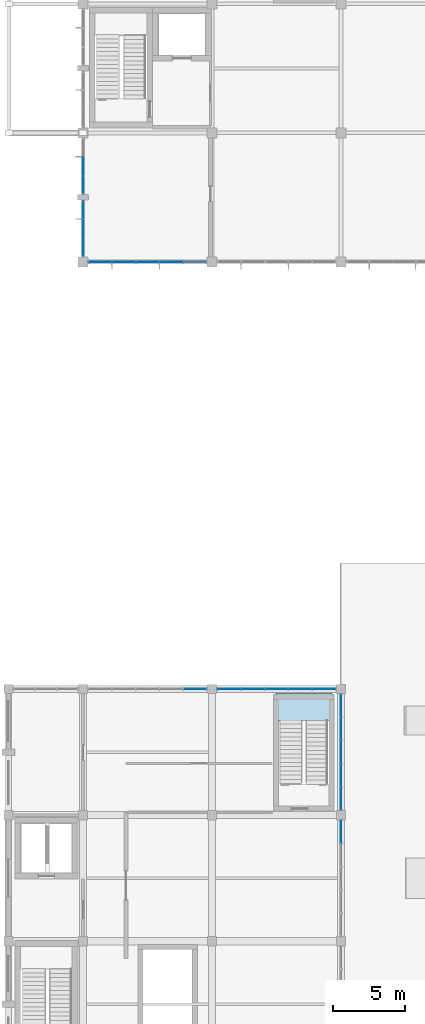
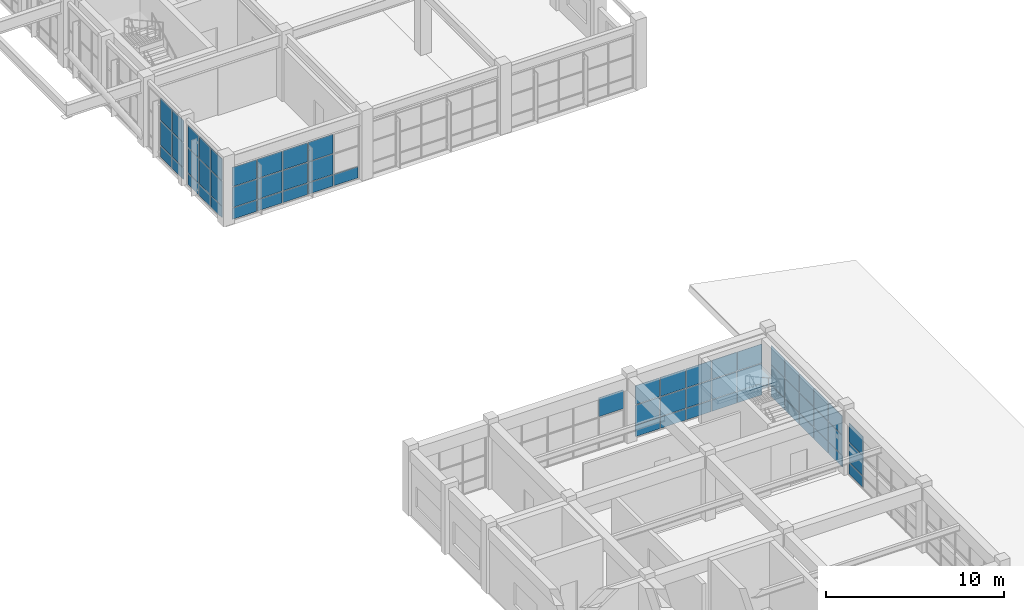
# One storey, part 70 of 99: 62 plates, 1 slab, 8 elements without a shape of their own.
"""IFC4 building model written with IfcOpenShell, lengths in metres."""

from ifc_helpers import new_model, si_unit, direction, frame, origin, origin_2d, place, context, subcontext, project, spatial, polyline, rectangle, outline, extrude, material, layer, layer_set, type_object, element, aggregate, save


model = new_model("IFC4")

# Units and contexts
model_context = context("Model", 3, precision=1e-05, world=origin(), true_north=direction((0.0, 1.0)))
body_context = subcontext(model_context, "Body", "Model", "MODEL_VIEW")
ifc_project = project(units=[si_unit("LENGTHUNIT", "METRE"), si_unit("AREAUNIT", "SQUARE_METRE"), si_unit("VOLUMEUNIT", "CUBIC_METRE"), si_unit("PLANEANGLEUNIT", "RADIAN"), si_unit("MASSUNIT", "GRAM", prefix="KILO")], contexts=[model_context])

# Site, building, storey
site_placement = place(None, origin())
site = spatial("IfcSite", under=ifc_project, at=site_placement, CompositionType="ELEMENT")
building_placement = place(site_placement, origin())
building = spatial("IfcBuilding", under=site, at=building_placement, Name="Ventoquebrada Cableway Terminal", CompositionType="ELEMENT")
storey_placement = place(building_placement, frame((0.0, 0.0, 9.60009765625)))
storey = spatial("IfcBuildingStorey", under=building, at=storey_placement, Name="L02", CompositionType="ELEMENT", Elevation=9.60009765625)

# Curtain wall, plate
ifc_material_1 = material(Name="Anodized thermally-broken aluminium", Category="aluminium")
ifc_layer_1 = layer(ifc_material_1, 0.159912109375)
ifc_layer_set_1 = layer_set([ifc_layer_1], Name="Anodized thermally-broken aluminium")
curtain_wall_type_1 = type_object("IfcCurtainWallType", Name="CW-T07", PredefinedType="USERDEFINED", material=ifc_layer_set_1)
curtain_wall_1_placement = place(storey_placement, origin())
curtain_wall_1 = element("IfcCurtainWall", 1, at=curtain_wall_1_placement, inside=storey, type_object=curtain_wall_type_1, Name="Unitised glazed curtain wall CW-015", ObjectType="UNITISED CURTAIN WALL", PredefinedType="USERDEFINED")
ifc_material_2 = material(Name="Double low-e laminated safety glazing", Category="glass")
ifc_layer_2 = layer(ifc_material_2, 0.031982421875)
ifc_layer_set_2 = layer_set([ifc_layer_2], Name="Double low-e laminated safety glazing")
plate_type_1 = type_object("IfcPlateType", Name="CWP-GL1", PredefinedType="CURTAIN_PANEL", material=ifc_layer_set_2)
plate_1_placement = place(storey_placement, frame((26.199951171875, 28.239013671875, 2.261962890625), z_axis=(0.0, 0.0, 1.0), x_axis=(0.0, 1.0, 0.0)))
plate_1 = element("IfcPlate", 2, at=plate_1_placement, type_object=plate_type_1, Name="Vision glazing panel PN-0147", PredefinedType="CURTAIN_PANEL", context=body_context, shape_type="SweptSolid", body=[
    extrude(rectangle(XDim=1.5439453125, YDim=0.031982421875, at=origin_2d()), origin(), (0.0, 0.0, 1.0), 1.2880859375),
])

# Curtain wall, plates
curtain_wall_2_placement = place(storey_placement, origin())
curtain_wall_2 = element("IfcCurtainWall", 3, at=curtain_wall_2_placement, inside=storey, type_object=curtain_wall_type_1, Name="Unitised glazed curtain wall CW-016", ObjectType="UNITISED CURTAIN WALL", PredefinedType="USERDEFINED")
plate_2_placement = place(storey_placement, frame((26.199951171875, 30.56201171875, 2.261962890625), z_axis=(0.0, 0.0, 1.0), x_axis=(0.0, 1.0, 0.0)))
plate_2 = element("IfcPlate", 4, at=plate_2_placement, type_object=plate_type_1, Name="Vision glazing panel PN-0150", PredefinedType="CURTAIN_PANEL", context=body_context, shape_type="SweptSolid", body=[
    extrude(rectangle(XDim=1.5439453125, YDim=0.031982421875, at=origin_2d()), origin(), (0.0, 0.0, 1.0), 1.2880859375),
])
plate_3_placement = place(storey_placement, frame((26.199951171875, 32.172119140625, 0.87451171875), z_axis=(0.0, 0.0, 1.0), x_axis=(0.0, 1.0, 0.0)))
plate_3 = element("IfcPlate", 5, at=plate_3_placement, type_object=plate_type_1, Name="Vision glazing panel PN-0152", PredefinedType="CURTAIN_PANEL", context=body_context, shape_type="SweptSolid", body=[
    extrude(rectangle(XDim=1.5791015625, YDim=0.031982421875, at=origin_2d()), origin(), (0.0, 0.0, 1.0), 1.339111328125),
])
plate_4_placement = place(storey_placement, frame((26.199951171875, 33.800048828125, 2.261962890625), z_axis=(0.0, 0.0, 1.0), x_axis=(0.0, 1.0, 0.0)))
plate_4 = element("IfcPlate", 6, at=plate_4_placement, type_object=plate_type_1, Name="Vision glazing panel PN-0156", PredefinedType="CURTAIN_PANEL", context=body_context, shape_type="SweptSolid", body=[
    extrude(rectangle(XDim=1.5791015625, YDim=0.031982421875, at=origin_2d()), origin(), (0.0, 0.0, 1.0), 1.2880859375),
])
plate_5_placement = place(storey_placement, frame((26.199951171875, 35.427978515625, 0.87451171875), z_axis=(0.0, 0.0, 1.0), x_axis=(0.0, 1.0, 0.0)))
plate_5 = element("IfcPlate", 7, at=plate_5_placement, type_object=plate_type_1, Name="Vision glazing panel PN-0158", PredefinedType="CURTAIN_PANEL", context=body_context, shape_type="SweptSolid", body=[
    extrude(rectangle(XDim=1.5791015625, YDim=0.031982421875, at=origin_2d()), origin(), (0.0, 0.0, 1.0), 1.339111328125),
])
plate_6_placement = place(storey_placement, frame((26.199951171875, 37.0380859375, 2.261962890625), z_axis=(0.0, 0.0, 1.0), x_axis=(0.0, 1.0, 0.0)))
plate_6 = element("IfcPlate", 8, at=plate_6_placement, type_object=plate_type_1, Name="Vision glazing panel PN-0162", PredefinedType="CURTAIN_PANEL", context=body_context, shape_type="SweptSolid", body=[
    extrude(rectangle(XDim=1.5439453125, YDim=0.031982421875, at=origin_2d()), origin(), (0.0, 0.0, 1.0), 1.2880859375),
])

# Curtain wall, plate
ifc_layer_3 = layer(ifc_material_1, 0.159912109375)
ifc_layer_set_3 = layer_set([ifc_layer_3], Name="Anodized thermally-broken aluminium")
curtain_wall_type_2 = type_object("IfcCurtainWallType", Name="CW-T09", PredefinedType="USERDEFINED", material=ifc_layer_set_3)
curtain_wall_3_placement = place(storey_placement, origin())
curtain_wall_3 = element("IfcCurtainWall", 9, at=curtain_wall_3_placement, inside=storey, type_object=curtain_wall_type_2, Name="Unitised glazed curtain wall CW-018", ObjectType="UNITISED CURTAIN WALL", PredefinedType="USERDEFINED")
plate_7_placement = place(storey_placement, frame((16.01904296875, 38.199951171875, 2.261962890625), z_axis=(0.0, 0.0, 1.0), x_axis=(-1.0, 0.0, 0.0)))
plate_7 = element("IfcPlate", 10, at=plate_7_placement, type_object=plate_type_1, Name="Vision glazing panel PN-0174", PredefinedType="CURTAIN_PANEL", context=body_context, shape_type="SweptSolid", body=[
    extrude(rectangle(XDim=1.583984375, YDim=0.031982421875, at=origin_2d()), origin(), (0.0, 0.0, 1.0), 1.2880859375),
])
aggregate(curtain_wall_3, [plate_7])

# Curtain wall, plates
curtain_wall_4_placement = place(storey_placement, origin())
curtain_wall_4 = element("IfcCurtainWall", 11, at=curtain_wall_4_placement, inside=storey, type_object=curtain_wall_type_2, Name="Unitised glazed curtain wall CW-019", ObjectType="UNITISED CURTAIN WALL", PredefinedType="USERDEFINED")
plate_8_placement = place(storey_placement, frame((25.01904296875, 38.199951171875, 2.261962890625), z_axis=(0.0, 0.0, 1.0), x_axis=(-1.0, 0.0, 0.0)))
plate_8 = element("IfcPlate", 12, at=plate_8_placement, type_object=plate_type_1, Name="Vision glazing panel PN-0189", PredefinedType="CURTAIN_PANEL", context=body_context, shape_type="SweptSolid", body=[
    extrude(rectangle(XDim=1.583984375, YDim=0.031982421875, at=origin_2d()), origin(), (0.0, 0.0, 1.0), 1.2880859375),
])
plate_9_placement = place(storey_placement, frame((23.368896484375, 38.199951171875, 0.87451171875), z_axis=(0.0, 0.0, 1.0), x_axis=(-1.0, 0.0, 0.0)))
plate_9 = element("IfcPlate", 13, at=plate_9_placement, type_object=plate_type_1, Name="Vision glazing panel PN-0191", PredefinedType="CURTAIN_PANEL", context=body_context, shape_type="SweptSolid", body=[
    extrude(rectangle(XDim=1.618896484375, YDim=0.031982421875, at=origin_2d()), origin(), (0.0, 0.0, 1.0), 1.339111328125),
])
plate_10_placement = place(storey_placement, frame((21.699951171875, 38.199951171875, 2.261962890625), z_axis=(0.0, 0.0, 1.0), x_axis=(-1.0, 0.0, 0.0)))
plate_10 = element("IfcPlate", 14, at=plate_10_placement, type_object=plate_type_1, Name="Vision glazing panel PN-0195", PredefinedType="CURTAIN_PANEL", context=body_context, shape_type="SweptSolid", body=[
    extrude(rectangle(XDim=1.618896484375, YDim=0.031982421875, at=origin_2d()), origin(), (0.0, 0.0, 1.0), 1.2880859375),
])
plate_11_placement = place(storey_placement, frame((20.031982421875, 38.199951171875, 0.87451171875), z_axis=(0.0, 0.0, 1.0), x_axis=(-1.0, 0.0, 0.0)))
plate_11 = element("IfcPlate", 15, at=plate_11_placement, type_object=plate_type_1, Name="Vision glazing panel PN-0197", PredefinedType="CURTAIN_PANEL", context=body_context, shape_type="SweptSolid", body=[
    extrude(rectangle(XDim=1.618896484375, YDim=0.031982421875, at=origin_2d()), origin(), (0.0, 0.0, 1.0), 1.339111328125),
])
plate_12_placement = place(storey_placement, frame((18.382080078125, 38.199951171875, 2.261962890625), z_axis=(0.0, 0.0, 1.0), x_axis=(-1.0, 0.0, 0.0)))
plate_12 = element("IfcPlate", 16, at=plate_12_placement, type_object=plate_type_1, Name="Vision glazing panel PN-0201", PredefinedType="CURTAIN_PANEL", context=body_context, shape_type="SweptSolid", body=[
    extrude(rectangle(XDim=1.583984375, YDim=0.031982421875, at=origin_2d()), origin(), (0.0, 0.0, 1.0), 1.2880859375),
])

ifc_layer_4 = layer(ifc_material_1, 0.159912109375)
ifc_layer_set_4 = layer_set([ifc_layer_4], Name="Anodized thermally-broken aluminium")
curtain_wall_type_3 = type_object("IfcCurtainWallType", Name="CW-T18", PredefinedType="USERDEFINED", material=ifc_layer_set_4)
curtain_wall_5_placement = place(storey_placement, origin())
curtain_wall_5 = element("IfcCurtainWall", 17, at=curtain_wall_5_placement, inside=storey, type_object=curtain_wall_type_3, Name="Unitised glazed curtain wall CW-040", ObjectType="UNITISED CURTAIN WALL", PredefinedType="USERDEFINED")
plate_13_placement = place(storey_placement, frame((9.40087890625, 68.0, 2.304931640625), z_axis=(0.0, 0.0, 1.0), x_axis=(1.0, 0.0, 0.0)))
plate_13 = element("IfcPlate", 18, at=plate_13_placement, type_object=plate_type_1, Name="Vision glazing panel PN-0395", PredefinedType="CURTAIN_PANEL", context=body_context, shape_type="SweptSolid", body=[
    extrude(rectangle(XDim=1.573974609375, YDim=0.031982421875, at=origin_2d()), origin(), (0.0, 0.0, 1.0), 1.31396484375),
])
plate_14_placement = place(storey_placement, frame((11.041015625, 68.0, 0.8740234375), z_axis=(0.0, 0.0, 1.0), x_axis=(1.0, 0.0, 0.0)))
plate_14 = element("IfcPlate", 19, at=plate_14_placement, type_object=plate_type_1, Name="Vision glazing panel PN-0397", PredefinedType="CURTAIN_PANEL", context=body_context, shape_type="SweptSolid", body=[
    extrude(rectangle(XDim=1.60888671875, YDim=0.031982421875, at=origin_2d()), origin(), (0.0, 0.0, 1.0), 1.382080078125),
])
plate_15_placement = place(storey_placement, frame((12.699951171875, 68.0, 2.304931640625), z_axis=(0.0, 0.0, 1.0), x_axis=(1.0, 0.0, 0.0)))
plate_15 = element("IfcPlate", 20, at=plate_15_placement, type_object=plate_type_1, Name="Vision glazing panel PN-0401", PredefinedType="CURTAIN_PANEL", context=body_context, shape_type="SweptSolid", body=[
    extrude(rectangle(XDim=1.60888671875, YDim=0.031982421875, at=origin_2d()), origin(), (0.0, 0.0, 1.0), 1.31396484375),
])
plate_16_placement = place(storey_placement, frame((14.35693359375, 68.0, 0.8740234375), z_axis=(0.0, 0.0, 1.0), x_axis=(1.0, 0.0, 0.0)))
plate_16 = element("IfcPlate", 21, at=plate_16_placement, type_object=plate_type_1, Name="Vision glazing panel PN-0403", PredefinedType="CURTAIN_PANEL", context=body_context, shape_type="SweptSolid", body=[
    extrude(rectangle(XDim=1.60888671875, YDim=0.031982421875, at=origin_2d()), origin(), (0.0, 0.0, 1.0), 1.382080078125),
])

ifc_layer_5 = layer(ifc_material_1, 0.159912109375)
ifc_layer_set_5 = layer_set([ifc_layer_5], Name="Anodized thermally-broken aluminium")
curtain_wall_type_4 = type_object("IfcCurtainWallType", Name="CW-T17", PredefinedType="USERDEFINED", material=ifc_layer_set_5)
curtain_wall_6_placement = place(storey_placement, origin())
curtain_wall_6 = element("IfcCurtainWall", 22, at=curtain_wall_6_placement, inside=storey, type_object=curtain_wall_type_4, Name="Unitised glazed curtain wall CW-043", ObjectType="UNITISED CURTAIN WALL", PredefinedType="USERDEFINED")
plate_17_placement = place(storey_placement, frame((8.199951171875, 74.675048828125, 0.8740234375), z_axis=(0.0, 0.0, 1.0), x_axis=(0.0, -1.0, 0.0)))
plate_17 = element("IfcPlate", 23, at=plate_17_placement, type_object=plate_type_1, Name="Vision glazing panel PN-0442", PredefinedType="CURTAIN_PANEL", context=body_context, shape_type="SweptSolid", body=[
    extrude(rectangle(XDim=1.263916015625, YDim=0.031982421875, at=origin_2d()), origin(), (0.0, 0.0, 1.0), 1.679931640625),
])
plate_18_placement = place(storey_placement, frame((8.199951171875, 73.37890625, 2.603271484375), z_axis=(0.0, 0.0, 1.0), x_axis=(0.0, -1.0, 0.0)))
plate_18 = element("IfcPlate", 24, at=plate_18_placement, type_object=plate_type_1, Name="Vision glazing panel PN-0446", PredefinedType="CURTAIN_PANEL", context=body_context, shape_type="SweptSolid", body=[
    extrude(rectangle(XDim=1.22900390625, YDim=0.031982421875, at=origin_2d()), origin(), (0.0, 0.0, 1.0), 1.4970703125),
])

curtain_wall_7_placement = place(storey_placement, origin())
curtain_wall_7 = element("IfcCurtainWall", 25, at=curtain_wall_7_placement, inside=storey, type_object=curtain_wall_type_4, Name="Unitised glazed curtain wall CW-044", ObjectType="UNITISED CURTAIN WALL", PredefinedType="USERDEFINED")
plate_19_placement = place(storey_placement, frame((8.199951171875, 71.62109375, 2.603271484375), z_axis=(0.0, 0.0, 1.0), x_axis=(0.0, -1.0, 0.0)))
plate_19 = element("IfcPlate", 26, at=plate_19_placement, type_object=plate_type_1, Name="Vision glazing panel PN-0449", PredefinedType="CURTAIN_PANEL", context=body_context, shape_type="SweptSolid", body=[
    extrude(rectangle(XDim=1.22900390625, YDim=0.031982421875, at=origin_2d()), origin(), (0.0, 0.0, 1.0), 1.4970703125),
])
plate_20_placement = place(storey_placement, frame((8.199951171875, 70.324951171875, 0.8740234375), z_axis=(0.0, 0.0, 1.0), x_axis=(0.0, -1.0, 0.0)))
plate_20 = element("IfcPlate", 27, at=plate_20_placement, type_object=plate_type_1, Name="Vision glazing panel PN-0451", PredefinedType="CURTAIN_PANEL", context=body_context, shape_type="SweptSolid", body=[
    extrude(rectangle(XDim=1.263916015625, YDim=0.031982421875, at=origin_2d()), origin(), (0.0, 0.0, 1.0), 1.679931640625),
])
plate_21_placement = place(storey_placement, frame((8.199951171875, 69.030029296875, 2.603271484375), z_axis=(0.0, 0.0, 1.0), x_axis=(0.0, -1.0, 0.0)))
plate_21 = element("IfcPlate", 28, at=plate_21_placement, type_object=plate_type_1, Name="Vision glazing panel PN-0455", PredefinedType="CURTAIN_PANEL", context=body_context, shape_type="SweptSolid", body=[
    extrude(rectangle(XDim=1.22900390625, YDim=0.031982421875, at=origin_2d()), origin(), (0.0, 0.0, 1.0), 1.4970703125),
])

# Plate
ifc_layer_6 = layer(ifc_material_2, 0.0380859375)
ifc_layer_set_6 = layer_set([ifc_layer_6], Name="Double low-e laminated safety glazing")
plate_type_2 = type_object("IfcPlateType", Name="CWP-GL2", PredefinedType="CURTAIN_PANEL", material=ifc_layer_set_6)
plate_22_placement = place(storey_placement, frame((26.199951171875, 28.239013671875, 0.87451171875), z_axis=(0.0, 0.0, 1.0), x_axis=(0.0, 1.0, 0.0)))
plate_22 = element("IfcPlate", 29, at=plate_22_placement, type_object=plate_type_2, Name="Vision glazing panel PN-0146", PredefinedType="CURTAIN_PANEL", context=body_context, shape_type="SweptSolid", body=[
    extrude(rectangle(XDim=1.5439453125, YDim=0.0380859375, at=origin_2d()), origin(), (0.0, 0.0, 1.0), 1.339111328125),
])

plate_23_placement = place(storey_placement, frame((26.199951171875, 30.56201171875, 0.87451171875), z_axis=(0.0, 0.0, 1.0), x_axis=(0.0, 1.0, 0.0)))
plate_23 = element("IfcPlate", 30, at=plate_23_placement, type_object=plate_type_2, Name="Vision glazing panel PN-0149", PredefinedType="CURTAIN_PANEL", context=body_context, shape_type="SweptSolid", body=[
    extrude(rectangle(XDim=1.5439453125, YDim=0.0380859375, at=origin_2d()), origin(), (0.0, 0.0, 1.0), 1.339111328125),
])

plate_24_placement = place(storey_placement, frame((26.199951171875, 32.172119140625, 2.261962890625), z_axis=(0.0, 0.0, 1.0), x_axis=(0.0, 1.0, 0.0)))
plate_24 = element("IfcPlate", 31, at=plate_24_placement, type_object=plate_type_2, Name="Vision glazing panel PN-0153", PredefinedType="CURTAIN_PANEL", context=body_context, shape_type="SweptSolid", body=[
    extrude(rectangle(XDim=1.5791015625, YDim=0.0380859375, at=origin_2d()), origin(), (0.0, 0.0, 1.0), 1.2880859375),
])

plate_25_placement = place(storey_placement, frame((26.199951171875, 33.800048828125, 0.87451171875), z_axis=(0.0, 0.0, 1.0), x_axis=(0.0, 1.0, 0.0)))
plate_25 = element("IfcPlate", 32, at=plate_25_placement, type_object=plate_type_2, Name="Vision glazing panel PN-0155", PredefinedType="CURTAIN_PANEL", context=body_context, shape_type="SweptSolid", body=[
    extrude(rectangle(XDim=1.5791015625, YDim=0.0380859375, at=origin_2d()), origin(), (0.0, 0.0, 1.0), 1.339111328125),
])

plate_26_placement = place(storey_placement, frame((26.199951171875, 35.427978515625, 2.261962890625), z_axis=(0.0, 0.0, 1.0), x_axis=(0.0, 1.0, 0.0)))
plate_26 = element("IfcPlate", 33, at=plate_26_placement, type_object=plate_type_2, Name="Vision glazing panel PN-0159", PredefinedType="CURTAIN_PANEL", context=body_context, shape_type="SweptSolid", body=[
    extrude(rectangle(XDim=1.5791015625, YDim=0.0380859375, at=origin_2d()), origin(), (0.0, 0.0, 1.0), 1.2880859375),
])

plate_27_placement = place(storey_placement, frame((26.199951171875, 37.0380859375, 0.87451171875), z_axis=(0.0, 0.0, 1.0), x_axis=(0.0, 1.0, 0.0)))
plate_27 = element("IfcPlate", 34, at=plate_27_placement, type_object=plate_type_2, Name="Vision glazing panel PN-0161", PredefinedType="CURTAIN_PANEL", context=body_context, shape_type="SweptSolid", body=[
    extrude(rectangle(XDim=1.5439453125, YDim=0.0380859375, at=origin_2d()), origin(), (0.0, 0.0, 1.0), 1.339111328125),
])

plate_28_placement = place(storey_placement, frame((25.01904296875, 38.199951171875, 0.87451171875), z_axis=(0.0, 0.0, 1.0), x_axis=(-1.0, 0.0, 0.0)))
plate_28 = element("IfcPlate", 35, at=plate_28_placement, type_object=plate_type_2, Name="Vision glazing panel PN-0188", PredefinedType="CURTAIN_PANEL", context=body_context, shape_type="SweptSolid", body=[
    extrude(rectangle(XDim=1.583984375, YDim=0.0380859375, at=origin_2d()), origin(), (0.0, 0.0, 1.0), 1.339111328125),
])

plate_29_placement = place(storey_placement, frame((23.368896484375, 38.199951171875, 2.261962890625), z_axis=(0.0, 0.0, 1.0), x_axis=(-1.0, 0.0, 0.0)))
plate_29 = element("IfcPlate", 36, at=plate_29_placement, type_object=plate_type_2, Name="Vision glazing panel PN-0192", PredefinedType="CURTAIN_PANEL", context=body_context, shape_type="SweptSolid", body=[
    extrude(rectangle(XDim=1.618896484375, YDim=0.0380859375, at=origin_2d()), origin(), (0.0, 0.0, 1.0), 1.2880859375),
])

plate_30_placement = place(storey_placement, frame((21.699951171875, 38.199951171875, 0.87451171875), z_axis=(0.0, 0.0, 1.0), x_axis=(-1.0, 0.0, 0.0)))
plate_30 = element("IfcPlate", 37, at=plate_30_placement, type_object=plate_type_2, Name="Vision glazing panel PN-0194", PredefinedType="CURTAIN_PANEL", context=body_context, shape_type="SweptSolid", body=[
    extrude(rectangle(XDim=1.618896484375, YDim=0.0380859375, at=origin_2d()), origin(), (0.0, 0.0, 1.0), 1.339111328125),
])

plate_31_placement = place(storey_placement, frame((20.031982421875, 38.199951171875, 2.261962890625), z_axis=(0.0, 0.0, 1.0), x_axis=(-1.0, 0.0, 0.0)))
plate_31 = element("IfcPlate", 38, at=plate_31_placement, type_object=plate_type_2, Name="Vision glazing panel PN-0198", PredefinedType="CURTAIN_PANEL", context=body_context, shape_type="SweptSolid", body=[
    extrude(rectangle(XDim=1.618896484375, YDim=0.0380859375, at=origin_2d()), origin(), (0.0, 0.0, 1.0), 1.2880859375),
])

plate_32_placement = place(storey_placement, frame((18.382080078125, 38.199951171875, 0.87451171875), z_axis=(0.0, 0.0, 1.0), x_axis=(-1.0, 0.0, 0.0)))
plate_32 = element("IfcPlate", 39, at=plate_32_placement, type_object=plate_type_2, Name="Vision glazing panel PN-0200", PredefinedType="CURTAIN_PANEL", context=body_context, shape_type="SweptSolid", body=[
    extrude(rectangle(XDim=1.583984375, YDim=0.0380859375, at=origin_2d()), origin(), (0.0, 0.0, 1.0), 1.339111328125),
])

plate_33_placement = place(storey_placement, frame((9.40087890625, 68.0, 0.8740234375), z_axis=(0.0, 0.0, 1.0), x_axis=(1.0, 0.0, 0.0)))
plate_33 = element("IfcPlate", 40, at=plate_33_placement, type_object=plate_type_2, Name="Vision glazing panel PN-0394", PredefinedType="CURTAIN_PANEL", context=body_context, shape_type="SweptSolid", body=[
    extrude(rectangle(XDim=1.573974609375, YDim=0.0380859375, at=origin_2d()), origin(), (0.0, 0.0, 1.0), 1.382080078125),
])

plate_34_placement = place(storey_placement, frame((11.041015625, 68.0, 2.304931640625), z_axis=(0.0, 0.0, 1.0), x_axis=(1.0, 0.0, 0.0)))
plate_34 = element("IfcPlate", 41, at=plate_34_placement, type_object=plate_type_2, Name="Vision glazing panel PN-0398", PredefinedType="CURTAIN_PANEL", context=body_context, shape_type="SweptSolid", body=[
    extrude(rectangle(XDim=1.60888671875, YDim=0.0380859375, at=origin_2d()), origin(), (0.0, 0.0, 1.0), 1.31396484375),
])

plate_35_placement = place(storey_placement, frame((12.699951171875, 68.0, 0.8740234375), z_axis=(0.0, 0.0, 1.0), x_axis=(1.0, 0.0, 0.0)))
plate_35 = element("IfcPlate", 42, at=plate_35_placement, type_object=plate_type_2, Name="Vision glazing panel PN-0400", PredefinedType="CURTAIN_PANEL", context=body_context, shape_type="SweptSolid", body=[
    extrude(rectangle(XDim=1.60888671875, YDim=0.0380859375, at=origin_2d()), origin(), (0.0, 0.0, 1.0), 1.382080078125),
])

plate_36_placement = place(storey_placement, frame((14.35693359375, 68.0, 2.304931640625), z_axis=(0.0, 0.0, 1.0), x_axis=(1.0, 0.0, 0.0)))
plate_36 = element("IfcPlate", 43, at=plate_36_placement, type_object=plate_type_2, Name="Vision glazing panel PN-0404", PredefinedType="CURTAIN_PANEL", context=body_context, shape_type="SweptSolid", body=[
    extrude(rectangle(XDim=1.60888671875, YDim=0.0380859375, at=origin_2d()), origin(), (0.0, 0.0, 1.0), 1.31396484375),
])

plate_37_placement = place(storey_placement, frame((8.199951171875, 74.675048828125, 2.603271484375), z_axis=(0.0, 0.0, 1.0), x_axis=(0.0, -1.0, 0.0)))
plate_37 = element("IfcPlate", 44, at=plate_37_placement, type_object=plate_type_2, Name="Vision glazing panel PN-0443", PredefinedType="CURTAIN_PANEL", context=body_context, shape_type="SweptSolid", body=[
    extrude(rectangle(XDim=1.263916015625, YDim=0.0380859375, at=origin_2d()), origin(), (0.0, 0.0, 1.0), 1.4970703125),
])

plate_38_placement = place(storey_placement, frame((8.199951171875, 73.37890625, 0.8740234375), z_axis=(0.0, 0.0, 1.0), x_axis=(0.0, -1.0, 0.0)))
plate_38 = element("IfcPlate", 45, at=plate_38_placement, type_object=plate_type_2, Name="Vision glazing panel PN-0445", PredefinedType="CURTAIN_PANEL", context=body_context, shape_type="SweptSolid", body=[
    extrude(rectangle(XDim=1.22900390625, YDim=0.0380859375, at=origin_2d()), origin(), (0.0, 0.0, 1.0), 1.679931640625),
])

plate_39_placement = place(storey_placement, frame((8.199951171875, 71.62109375, 0.8740234375), z_axis=(0.0, 0.0, 1.0), x_axis=(0.0, -1.0, 0.0)))
plate_39 = element("IfcPlate", 46, at=plate_39_placement, type_object=plate_type_2, Name="Vision glazing panel PN-0448", PredefinedType="CURTAIN_PANEL", context=body_context, shape_type="SweptSolid", body=[
    extrude(rectangle(XDim=1.22900390625, YDim=0.0380859375, at=origin_2d()), origin(), (0.0, 0.0, 1.0), 1.679931640625),
])

plate_40_placement = place(storey_placement, frame((8.199951171875, 70.324951171875, 2.603271484375), z_axis=(0.0, 0.0, 1.0), x_axis=(0.0, -1.0, 0.0)))
plate_40 = element("IfcPlate", 47, at=plate_40_placement, type_object=plate_type_2, Name="Vision glazing panel PN-0452", PredefinedType="CURTAIN_PANEL", context=body_context, shape_type="SweptSolid", body=[
    extrude(rectangle(XDim=1.263916015625, YDim=0.0380859375, at=origin_2d()), origin(), (0.0, 0.0, 1.0), 1.4970703125),
])

plate_41_placement = place(storey_placement, frame((8.199951171875, 69.030029296875, 0.8740234375), z_axis=(0.0, 0.0, 1.0), x_axis=(0.0, -1.0, 0.0)))
plate_41 = element("IfcPlate", 48, at=plate_41_placement, type_object=plate_type_2, Name="Vision glazing panel PN-0454", PredefinedType="CURTAIN_PANEL", context=body_context, shape_type="SweptSolid", body=[
    extrude(rectangle(XDim=1.22900390625, YDim=0.0380859375, at=origin_2d()), origin(), (0.0, 0.0, 1.0), 1.679931640625),
])

ifc_material_3 = material(Name="Insulated aluminium spandrel cassette", Category="aluminium")
ifc_layer_7 = layer(ifc_material_3, 0.044921875)
ifc_layer_set_7 = layer_set([ifc_layer_7], Name="Insulated aluminium spandrel cassette")
plate_type_3 = type_object("IfcPlateType", Name="CWP-SP1", PredefinedType="CURTAIN_PANEL", material=ifc_layer_set_7)
plate_42_placement = place(storey_placement, frame((26.199951171875, 28.239013671875, 0.059814453125), z_axis=(0.0, 0.0, 1.0), x_axis=(0.0, 1.0, 0.0)))
plate_42 = element("IfcPlate", 49, at=plate_42_placement, type_object=plate_type_3, Name="Insulated spandrel panel PN-0145", PredefinedType="CURTAIN_PANEL", context=body_context, shape_type="SweptSolid", body=[
    extrude(rectangle(XDim=1.5439453125, YDim=0.044921875, at=origin_2d()), origin(), (0.0, 0.0, 1.0), 0.76611328125),
])

aggregate(curtain_wall_1, [plate_42, plate_22, plate_1])

plate_43_placement = place(storey_placement, frame((26.199951171875, 30.56201171875, 0.059814453125), z_axis=(0.0, 0.0, 1.0), x_axis=(0.0, 1.0, 0.0)))
plate_43 = element("IfcPlate", 50, at=plate_43_placement, type_object=plate_type_3, Name="Insulated spandrel panel PN-0148", PredefinedType="CURTAIN_PANEL", context=body_context, shape_type="SweptSolid", body=[
    extrude(rectangle(XDim=1.5439453125, YDim=0.044921875, at=origin_2d()), origin(), (0.0, 0.0, 1.0), 0.76611328125),
])

plate_44_placement = place(storey_placement, frame((26.199951171875, 32.172119140625, 0.059814453125), z_axis=(0.0, 0.0, 1.0), x_axis=(0.0, 1.0, 0.0)))
plate_44 = element("IfcPlate", 51, at=plate_44_placement, type_object=plate_type_3, Name="Insulated spandrel panel PN-0151", PredefinedType="CURTAIN_PANEL", context=body_context, shape_type="SweptSolid", body=[
    extrude(rectangle(XDim=1.5791015625, YDim=0.044921875, at=origin_2d()), origin(), (0.0, 0.0, 1.0), 0.76611328125),
])

plate_45_placement = place(storey_placement, frame((26.199951171875, 33.800048828125, 0.059814453125), z_axis=(0.0, 0.0, 1.0), x_axis=(0.0, 1.0, 0.0)))
plate_45 = element("IfcPlate", 52, at=plate_45_placement, type_object=plate_type_3, Name="Insulated spandrel panel PN-0154", PredefinedType="CURTAIN_PANEL", context=body_context, shape_type="SweptSolid", body=[
    extrude(rectangle(XDim=1.5791015625, YDim=0.044921875, at=origin_2d()), origin(), (0.0, 0.0, 1.0), 0.76611328125),
])

plate_46_placement = place(storey_placement, frame((26.199951171875, 35.427978515625, 0.059814453125), z_axis=(0.0, 0.0, 1.0), x_axis=(0.0, 1.0, 0.0)))
plate_46 = element("IfcPlate", 53, at=plate_46_placement, type_object=plate_type_3, Name="Insulated spandrel panel PN-0157", PredefinedType="CURTAIN_PANEL", context=body_context, shape_type="SweptSolid", body=[
    extrude(rectangle(XDim=1.5791015625, YDim=0.044921875, at=origin_2d()), origin(), (0.0, 0.0, 1.0), 0.76611328125),
])

plate_47_placement = place(storey_placement, frame((26.199951171875, 37.0380859375, 0.059814453125), z_axis=(0.0, 0.0, 1.0), x_axis=(0.0, 1.0, 0.0)))
plate_47 = element("IfcPlate", 54, at=plate_47_placement, type_object=plate_type_3, Name="Insulated spandrel panel PN-0160", PredefinedType="CURTAIN_PANEL", context=body_context, shape_type="SweptSolid", body=[
    extrude(rectangle(XDim=1.5439453125, YDim=0.044921875, at=origin_2d()), origin(), (0.0, 0.0, 1.0), 0.76611328125),
])

aggregate(curtain_wall_2, [plate_43, plate_23, plate_2, plate_44, plate_3, plate_24, plate_45, plate_25, plate_4, plate_46, plate_5, plate_26, plate_47, plate_27, plate_6])

plate_48_placement = place(storey_placement, frame((25.01904296875, 38.199951171875, 0.059814453125), z_axis=(0.0, 0.0, 1.0), x_axis=(-1.0, 0.0, 0.0)))
plate_48 = element("IfcPlate", 55, at=plate_48_placement, type_object=plate_type_3, Name="Insulated spandrel panel PN-0187", PredefinedType="CURTAIN_PANEL", context=body_context, shape_type="SweptSolid", body=[
    extrude(rectangle(XDim=1.583984375, YDim=0.044921875, at=origin_2d()), origin(), (0.0, 0.0, 1.0), 0.76611328125),
])

plate_49_placement = place(storey_placement, frame((23.368896484375, 38.199951171875, 0.059814453125), z_axis=(0.0, 0.0, 1.0), x_axis=(-1.0, 0.0, 0.0)))
plate_49 = element("IfcPlate", 56, at=plate_49_placement, type_object=plate_type_3, Name="Insulated spandrel panel PN-0190", PredefinedType="CURTAIN_PANEL", context=body_context, shape_type="SweptSolid", body=[
    extrude(rectangle(XDim=1.618896484375, YDim=0.044921875, at=origin_2d()), origin(), (0.0, 0.0, 1.0), 0.76611328125),
])

plate_50_placement = place(storey_placement, frame((21.699951171875, 38.199951171875, 0.059814453125), z_axis=(0.0, 0.0, 1.0), x_axis=(-1.0, 0.0, 0.0)))
plate_50 = element("IfcPlate", 57, at=plate_50_placement, type_object=plate_type_3, Name="Insulated spandrel panel PN-0193", PredefinedType="CURTAIN_PANEL", context=body_context, shape_type="SweptSolid", body=[
    extrude(rectangle(XDim=1.618896484375, YDim=0.044921875, at=origin_2d()), origin(), (0.0, 0.0, 1.0), 0.76611328125),
])

plate_51_placement = place(storey_placement, frame((20.031982421875, 38.199951171875, 0.059814453125), z_axis=(0.0, 0.0, 1.0), x_axis=(-1.0, 0.0, 0.0)))
plate_51 = element("IfcPlate", 58, at=plate_51_placement, type_object=plate_type_3, Name="Insulated spandrel panel PN-0196", PredefinedType="CURTAIN_PANEL", context=body_context, shape_type="SweptSolid", body=[
    extrude(rectangle(XDim=1.618896484375, YDim=0.044921875, at=origin_2d()), origin(), (0.0, 0.0, 1.0), 0.76611328125),
])

plate_52_placement = place(storey_placement, frame((18.382080078125, 38.199951171875, 0.059814453125), z_axis=(0.0, 0.0, 1.0), x_axis=(-1.0, 0.0, 0.0)))
plate_52 = element("IfcPlate", 59, at=plate_52_placement, type_object=plate_type_3, Name="Insulated spandrel panel PN-0199", PredefinedType="CURTAIN_PANEL", context=body_context, shape_type="SweptSolid", body=[
    extrude(rectangle(XDim=1.583984375, YDim=0.044921875, at=origin_2d()), origin(), (0.0, 0.0, 1.0), 0.76611328125),
])

aggregate(curtain_wall_4, [plate_48, plate_28, plate_8, plate_49, plate_9, plate_29, plate_50, plate_30, plate_10, plate_51, plate_11, plate_31, plate_52, plate_32, plate_12])

plate_53_placement = place(storey_placement, frame((9.40087890625, 68.0, 0.059814453125), z_axis=(0.0, 0.0, 1.0), x_axis=(1.0, 0.0, 0.0)))
plate_53 = element("IfcPlate", 60, at=plate_53_placement, type_object=plate_type_3, Name="Insulated spandrel panel PN-0393", PredefinedType="CURTAIN_PANEL", context=body_context, shape_type="SweptSolid", body=[
    extrude(rectangle(XDim=1.573974609375, YDim=0.044921875, at=origin_2d()), origin(), (0.0, 0.0, 1.0), 0.76611328125),
])

plate_54_placement = place(storey_placement, frame((11.041015625, 68.0, 0.059814453125), z_axis=(0.0, 0.0, 1.0), x_axis=(1.0, 0.0, 0.0)))
plate_54 = element("IfcPlate", 61, at=plate_54_placement, type_object=plate_type_3, Name="Insulated spandrel panel PN-0396", PredefinedType="CURTAIN_PANEL", context=body_context, shape_type="SweptSolid", body=[
    extrude(rectangle(XDim=1.60888671875, YDim=0.044921875, at=origin_2d()), origin(), (0.0, 0.0, 1.0), 0.76611328125),
])

plate_55_placement = place(storey_placement, frame((12.699951171875, 68.0, 0.059814453125), z_axis=(0.0, 0.0, 1.0), x_axis=(1.0, 0.0, 0.0)))
plate_55 = element("IfcPlate", 62, at=plate_55_placement, type_object=plate_type_3, Name="Insulated spandrel panel PN-0399", PredefinedType="CURTAIN_PANEL", context=body_context, shape_type="SweptSolid", body=[
    extrude(rectangle(XDim=1.60888671875, YDim=0.044921875, at=origin_2d()), origin(), (0.0, 0.0, 1.0), 0.76611328125),
])

plate_56_placement = place(storey_placement, frame((14.35693359375, 68.0, 0.059814453125), z_axis=(0.0, 0.0, 1.0), x_axis=(1.0, 0.0, 0.0)))
plate_56 = element("IfcPlate", 63, at=plate_56_placement, type_object=plate_type_3, Name="Insulated spandrel panel PN-0402", PredefinedType="CURTAIN_PANEL", context=body_context, shape_type="SweptSolid", body=[
    extrude(rectangle(XDim=1.60888671875, YDim=0.044921875, at=origin_2d()), origin(), (0.0, 0.0, 1.0), 0.76611328125),
])

plate_57_placement = place(storey_placement, frame((15.998046875, 68.0, 0.059814453125), z_axis=(0.0, 0.0, 1.0), x_axis=(1.0, 0.0, 0.0)))
plate_57 = element("IfcPlate", 64, at=plate_57_placement, type_object=plate_type_3, Name="Insulated spandrel panel PN-0405", PredefinedType="CURTAIN_PANEL", context=body_context, shape_type="SweptSolid", body=[
    extrude(rectangle(XDim=1.573974609375, YDim=0.044921875, at=origin_2d()), origin(), (0.0, 0.0, 1.0), 0.76611328125),
])

aggregate(curtain_wall_5, [plate_53, plate_33, plate_13, plate_54, plate_14, plate_34, plate_55, plate_35, plate_15, plate_56, plate_16, plate_36, plate_57])

plate_58_placement = place(storey_placement, frame((8.199951171875, 74.675048828125, 0.059814453125), z_axis=(0.0, 0.0, 1.0), x_axis=(0.0, -1.0, 0.0)))
plate_58 = element("IfcPlate", 65, at=plate_58_placement, type_object=plate_type_3, Name="Insulated spandrel panel PN-0441", PredefinedType="CURTAIN_PANEL", context=body_context, shape_type="SweptSolid", body=[
    extrude(rectangle(XDim=1.263916015625, YDim=0.044921875, at=origin_2d()), origin(), (0.0, 0.0, 1.0), 0.76611328125),
])

plate_59_placement = place(storey_placement, frame((8.199951171875, 73.37890625, 0.059814453125), z_axis=(0.0, 0.0, 1.0), x_axis=(0.0, -1.0, 0.0)))
plate_59 = element("IfcPlate", 66, at=plate_59_placement, type_object=plate_type_3, Name="Insulated spandrel panel PN-0444", PredefinedType="CURTAIN_PANEL", context=body_context, shape_type="SweptSolid", body=[
    extrude(rectangle(XDim=1.22900390625, YDim=0.044921875, at=origin_2d()), origin(), (0.0, 0.0, 1.0), 0.76611328125),
])

aggregate(curtain_wall_6, [plate_58, plate_17, plate_37, plate_59, plate_38, plate_18])

plate_60_placement = place(storey_placement, frame((8.199951171875, 71.62109375, 0.059814453125), z_axis=(0.0, 0.0, 1.0), x_axis=(0.0, -1.0, 0.0)))
plate_60 = element("IfcPlate", 67, at=plate_60_placement, type_object=plate_type_3, Name="Insulated spandrel panel PN-0447", PredefinedType="CURTAIN_PANEL", context=body_context, shape_type="SweptSolid", body=[
    extrude(rectangle(XDim=1.22900390625, YDim=0.044921875, at=origin_2d()), origin(), (0.0, 0.0, 1.0), 0.76611328125),
])

plate_61_placement = place(storey_placement, frame((8.199951171875, 70.324951171875, 0.059814453125), z_axis=(0.0, 0.0, 1.0), x_axis=(0.0, -1.0, 0.0)))
plate_61 = element("IfcPlate", 68, at=plate_61_placement, type_object=plate_type_3, Name="Insulated spandrel panel PN-0450", PredefinedType="CURTAIN_PANEL", context=body_context, shape_type="SweptSolid", body=[
    extrude(rectangle(XDim=1.263916015625, YDim=0.044921875, at=origin_2d()), origin(), (0.0, 0.0, 1.0), 0.76611328125),
])

plate_62_placement = place(storey_placement, frame((8.199951171875, 69.030029296875, 0.059814453125), z_axis=(0.0, 0.0, 1.0), x_axis=(0.0, -1.0, 0.0)))
plate_62 = element("IfcPlate", 69, at=plate_62_placement, type_object=plate_type_3, Name="Insulated spandrel panel PN-0453", PredefinedType="CURTAIN_PANEL", context=body_context, shape_type="SweptSolid", body=[
    extrude(rectangle(XDim=1.22900390625, YDim=0.044921875, at=origin_2d()), origin(), (0.0, 0.0, 1.0), 0.76611328125),
])

aggregate(curtain_wall_7, [plate_60, plate_39, plate_19, plate_61, plate_20, plate_40, plate_62, plate_41, plate_21])

# Stair, slab
ifc_material_4 = material(Name="Concrete C40/50", Category="concrete")
stair_type = type_object("IfcStairType", Name="ST-T04", PredefinedType="HALF_TURN_STAIR", material=ifc_material_4)
stair_placement = place(storey_placement, origin())
stair = element("IfcStair", 70, at=stair_placement, inside=storey, type_object=stair_type, Name="Protected half-turn stair ST-08", PredefinedType="HALF_TURN_STAIR")
ifc_layer_8 = layer(ifc_material_4, 0.219970703125)
ifc_layer_set_8 = layer_set([ifc_layer_8], Name="Concrete C40/50")
slab_type = type_object("IfcSlabType", Name="SL-LD1", PredefinedType="LANDING", material=ifc_layer_set_8)
slab_placement = place(storey_placement, frame((0.0, 0.0, 2.179931640625)))
slab = element("IfcSlab", 71, at=slab_placement, type_object=slab_type, Name="Intermediate stair landing LDG-008", PredefinedType="LANDING", context=body_context, shape_type="SweptSolid", body=[
    extrude(outline(polyline([(25.56005859375, 35.989990234375), (25.56005859375, 37.909912109375), (21.679931640625, 37.909912109375), (21.679931640625, 35.989990234375), (25.56005859375, 35.989990234375)])), origin(), (0.0, 0.0, 1.0), 0.219970703125),
])
aggregate(stair, [slab])

save(model, "model.ifc")
